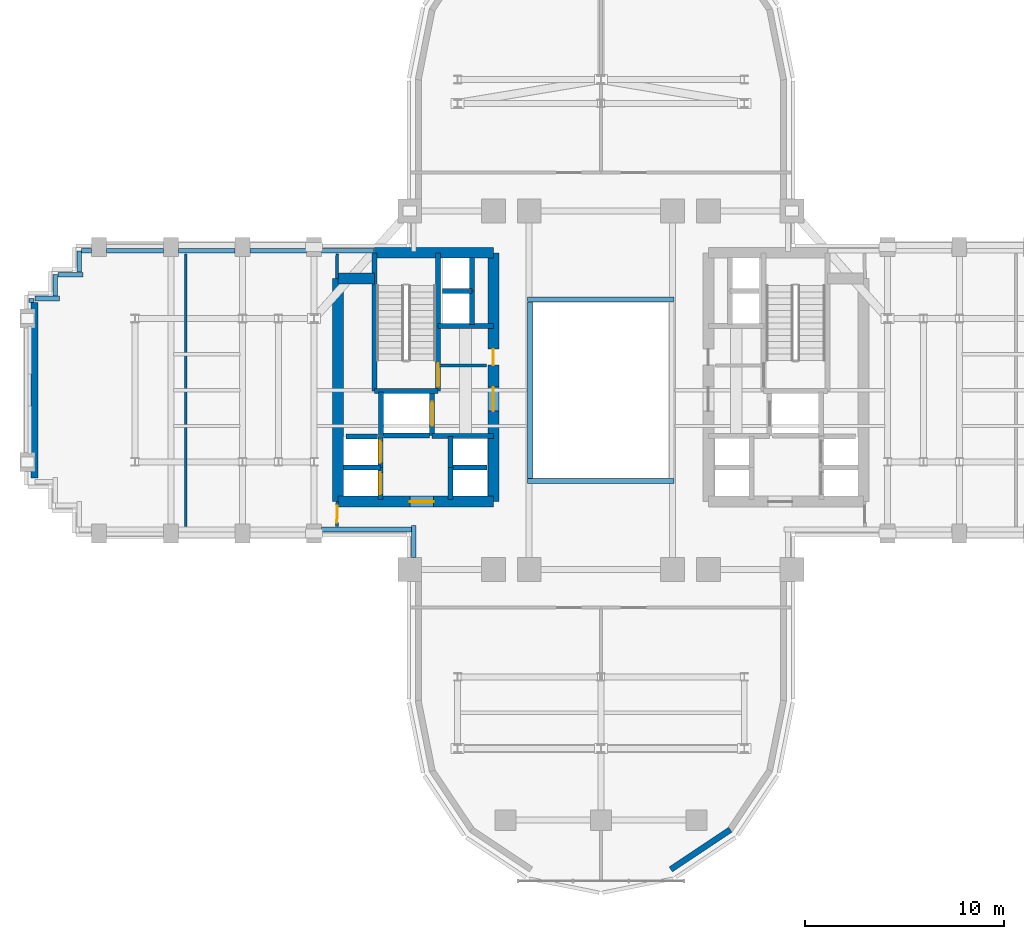
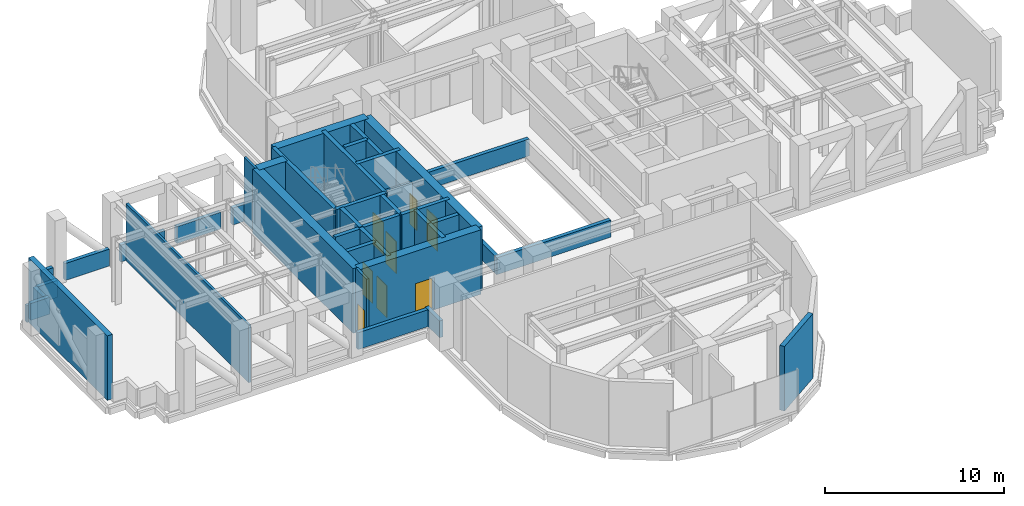
# One storey, part 9 of 15: 44 walls, 8 doors, 8 openings.
"""IFC4 building model written with IfcOpenShell, lengths in metres."""

from ifc_helpers import new_model, si_unit, direction, frame, frame_2d, origin, place, context, subcontext, project, spatial, rectangle, extrude, source, transform, mapped, material, layer, layer_set, type_object, element, fill, save


model = new_model("IFC4")

# Units and contexts
model_context = context("Model", 3, precision=1e-05, world=origin(), true_north=direction((0.0, 1.0)))
body_context = subcontext(model_context, "Body", "Model", "MODEL_VIEW")
ifc_project = project(units=[si_unit("LENGTHUNIT", "METRE"), si_unit("AREAUNIT", "SQUARE_METRE"), si_unit("VOLUMEUNIT", "CUBIC_METRE"), si_unit("PLANEANGLEUNIT", "RADIAN"), si_unit("MASSUNIT", "GRAM", prefix="KILO")], contexts=[model_context])

# Site, building, storey
site_placement = place(None, origin())
site = spatial("IfcSite", under=ifc_project, at=site_placement, CompositionType="ELEMENT")
building_placement = place(site_placement, origin())
building = spatial("IfcBuilding", under=site, at=building_placement, Name="Keilestroom Media Tower", CompositionType="ELEMENT")
storey_placement = place(building_placement, frame((0.0, 0.0, 88.39990234375)))
storey = spatial("IfcBuildingStorey", under=building, at=storey_placement, Name="L23", CompositionType="ELEMENT", Elevation=88.39990234375)

# Walls
ifc_material_1 = material(Name="Precast concrete C40/50", Category="concrete")
ifc_layer_1 = layer(ifc_material_1, 0.300048828125)
ifc_layer_set_1 = layer_set([ifc_layer_1], Name="Precast concrete C40/50")
wall_type_1 = type_object("IfcWallType", Name="Exterior-Masonry-Spandrel-Wall-300", PredefinedType="SOLIDWALL", material=ifc_layer_set_1)
wall_1_placement = place(storey_placement, frame((3.510009765625, -24.073486328125, 0.0), z_axis=(0.0, 0.0, 1.0), x_axis=(0.8314749531, 0.555562239868, 0.0)))
element("IfcWall", 1, at=wall_1_placement, inside=storey, type_object=wall_type_1, Name="L23 Plant Lobe Masonry Wall 13", PredefinedType="SOLIDWALL", context=body_context, shape_type="SweptSolid", body=[
    extrude(rectangle(XDim=3.59326171875, YDim=0.300048828125, at=frame_2d((1.796630859375, 0.0))), origin(), (0.0, 0.0, 1.0), 4.400146484375),
])
ifc_layer_2 = layer(ifc_material_1, 0.340087890625)
ifc_layer_set_2 = layer_set([ifc_layer_2], Name="Precast concrete C40/50")
wall_type_2 = type_object("IfcWallType", Name="Exterior-Masonry-Spandrel-Wall-340", PredefinedType="SOLIDWALL", material=ifc_layer_set_2)
wall_2_placement = place(storey_placement, frame((-28.449951171875, -4.39990234375, 0.0), z_axis=(0.0, 0.0, 1.0), x_axis=(0.0, 1.0, 0.0)))
element("IfcWall", 2, at=wall_2_placement, inside=storey, type_object=wall_type_2, Name="L23 Plant Masonry Screen Wall W", PredefinedType="SOLIDWALL", context=body_context, shape_type="SweptSolid", body=[
    extrude(rectangle(XDim=8.7998046875, YDim=0.340087890625, at=frame_2d((4.39990234375, 0.0))), origin(), (0.0, 0.0, 1.0), 4.400146484375),
])
ifc_material_2 = material(Name="Gypsum Plasterboard & Steel Stud", Category="steel")
ifc_layer_3 = layer(ifc_material_2, 0.14990234375)
ifc_layer_set_3 = layer_set([ifc_layer_3], Name="Gypsum Plasterboard & Steel Stud")
wall_type_3 = type_object("IfcWallType", Name="Interior-Partition-Wall-150", PredefinedType="PARTITIONING", material=ifc_layer_set_3)
wall_3_placement = place(storey_placement, frame((-8.139892578125, 1.239990234375, 0.0), z_axis=(0.0, 0.0, 1.0), x_axis=(1.0, 0.0, 0.0)))
element("IfcWall", 3, at=wall_3_placement, inside=storey, type_object=wall_type_3, Name="L23 Interior Wall WP-L23-FFW-TOP", PredefinedType="PARTITIONING", context=body_context, shape_type="SweptSolid", body=[
    extrude(rectangle(XDim=2.389892578125, YDim=0.14990234375, at=frame_2d((1.19482421875, 0.0))), origin(), (0.0, 0.0, 1.0), 3.5),
])

# Wall, opening, door
wall_4_placement = place(storey_placement, frame((-13.260009765625, -6.85009765625, 0.0), z_axis=(0.0, 0.0, 1.0), x_axis=(0.016013571389, 0.999871774545, 0.0)))
wall_4 = element("IfcWall", 4, at=wall_4_placement, inside=storey, type_object=wall_type_3, Name="L23 Interior Wall WP-L23-REF-WE", PredefinedType="PARTITIONING", context=body_context, shape_type="SweptSolid", body=[
    extrude(rectangle(XDim=1.250244140625, YDim=0.14990234375, at=frame_2d((0.625, 0.0))), origin(), (0.0, 0.0, 1.0), 4.400146484375),
])
opening_1_placement = place(wall_4_placement, frame((0.199951171875, 0.0, 0.0)))
opening_1 = element("IfcOpeningElement", 5, at=opening_1_placement, cuts=wall_4, Name="Opening DI-05", PredefinedType="OPENING", context=body_context, shape_type="SweptSolid", body=[
    extrude(rectangle(XDim=0.85009765625, YDim=2.10009765625, at=frame_2d((0.425048828125, 1.050048828125))), frame((0.0, 0.0849609375, 0.0), z_axis=(0.0, -1.0, 0.0), x_axis=(1.0, 0.0, 0.0)), (0.0, 0.0, 1.0), 0.169921875),
])
ifc_material_3 = material(Name="Moisture-Resistant Oak Leaf", Category="wood")
door_type_1 = type_object("IfcDoorType", Name="Interior-En-Suite-And-Cupboard-Door-DI-05", OperationType="NOTDEFINED", PredefinedType="DOOR", material=ifc_material_3)
shared_shape_1 = source(origin(), body_context, "Body", "SweptSolid", [
    extrude(rectangle(XDim=0.85009765625, YDim=2.10009765625, at=frame_2d((0.425048828125, 1.050048828125))), frame((0.0, 0.02490234375, 0.0), z_axis=(0.0, -1.0, 0.0), x_axis=(1.0, 0.0, 0.0)), (0.0, 0.0, 1.0), 0.050048828125),
])
door_1_placement = place(opening_1_placement, origin())
door_1 = element("IfcDoor", 6, at=door_1_placement, inside=storey, type_object=door_type_1, Name="L23 Interior Door DI-L23-DRF-WS", OperationType="SINGLE_SWING_RIGHT", OverallHeight=2.10009765625, OverallWidth=0.85009765625, PredefinedType="DOOR", context=body_context, shape_type="MappedRepresentation", body=[
    mapped(shared_shape_1, transform((0.0, 0.0, 0.0), x_axis=(1.0, 0.0, 0.0), y_axis=(0.0, 1.0, 0.0), z_axis=(0.0, 0.0, 1.0), scale=1.0)),
])
fill(opening_1, door_1)

# Walls
wall_5_placement = place(storey_placement, frame((-13.260009765625, 5.60009765625, 0.0), z_axis=(0.0, 0.0, 1.0), x_axis=(0.016013571389, 0.999871774545, 0.0)))
element("IfcWall", 7, at=wall_5_placement, inside=storey, type_object=wall_type_3, Name="L23 Interior Wall WP-L23-REF-WNK", PredefinedType="PARTITIONING", context=body_context, shape_type="SweptSolid", body=[
    extrude(rectangle(XDim=1.250244140625, YDim=0.14990234375, at=frame_2d((0.625, 0.0))), origin(), (0.0, 0.0, 1.0), 4.400146484375),
])
wall_6_placement = place(storey_placement, frame((-20.85009765625, -6.85009765625, 0.0), z_axis=(0.0, 0.0, 1.0), x_axis=(0.0, 1.0, 0.0)))
element("IfcWall", 8, at=wall_6_placement, inside=storey, type_object=wall_type_3, Name="L23 Interior Wall WP-L23-REF-WW", PredefinedType="PARTITIONING", context=body_context, shape_type="SweptSolid", body=[
    extrude(rectangle(XDim=13.7001953125, YDim=0.14990234375, at=frame_2d((6.85009765625, 0.0))), origin(), (0.0, 0.0, 1.0), 3.91015625),
])
ifc_material_4 = material(Name="Concrete C70/85", Category="concrete")
ifc_layer_4 = layer(ifc_material_4, 0.550048828125)
ifc_layer_set_4 = layer_set([ifc_layer_4], Name="Concrete C70/85")
wall_type_4 = type_object("IfcWallType", Name="Reinforced-Concrete-Core-Shear-Wall-550", PredefinedType="SHEAR", material=ifc_layer_set_4)
wall_7_placement = place(storey_placement, frame((-13.199951171875, -5.60009765625, 0.0), z_axis=(0.0, 0.0, 1.0), x_axis=(0.0, 1.0, 0.0)))
element("IfcWall", 9, at=wall_7_placement, inside=storey, type_object=wall_type_4, Name="L23 Core Shear Wall WL-L23-CORE-W-OUT", PredefinedType="SHEAR", context=body_context, shape_type="SweptSolid", body=[
    extrude(rectangle(XDim=11.2001953125, YDim=0.550048828125, at=frame_2d((5.60009765625, 0.0))), origin(), (0.0, 0.0, 1.0), 4.400146484375),
])

# Wall, openings, doors
wall_8_placement = place(storey_placement, frame((-5.39990234375, -5.60009765625, 0.0), z_axis=(0.0, 0.0, 1.0), x_axis=(0.0, 1.0, 0.0)))
wall_8 = element("IfcWall", 10, at=wall_8_placement, inside=storey, type_object=wall_type_4, Name="L23 Core Shear Wall WL-L23-CORE-W-IN", PredefinedType="SHEAR", context=body_context, shape_type="SweptSolid", body=[
    extrude(rectangle(XDim=12.5, YDim=0.550048828125, at=frame_2d((6.25, 0.0))), origin(), (0.0, 0.0, 1.0), 4.400146484375),
])
opening_2_placement = place(wall_8_placement, frame((4.550048828125, 0.0, 0.0)))
opening_2 = element("IfcOpeningElement", 11, at=opening_2_placement, cuts=wall_8, Name="Opening DI-02", PredefinedType="OPENING", context=body_context, shape_type="SweptSolid", body=[
    extrude(rectangle(XDim=1.199951171875, YDim=2.199951171875, at=frame_2d((0.60009765625, 1.10009765625))), frame((0.0, 0.28515625, 0.0), z_axis=(0.0, -1.0, 0.0), x_axis=(1.0, 0.0, 0.0)), (0.0, 0.0, 1.0), 0.570068359375),
])
opening_3_placement = place(wall_8_placement, frame((6.860107421875, 0.0, 0.0)))
opening_3 = element("IfcOpeningElement", 12, at=opening_3_placement, cuts=wall_8, Name="Opening DI-06", PredefinedType="OPENING", context=body_context, shape_type="SweptSolid", body=[
    extrude(rectangle(XDim=0.800048828125, YDim=2.10009765625, at=frame_2d((0.39990234375, 1.050048828125))), frame((0.0, 0.28515625, 0.0), z_axis=(0.0, -1.0, 0.0), x_axis=(1.0, 0.0, 0.0)), (0.0, 0.0, 1.0), 0.570068359375),
])
ifc_material_5 = material(Name="Powder-Coated Steel Fire Leaf", Category="steel")
door_type_2 = type_object("IfcDoorType", Name="Interior-Compartment-Fire-Door-DI-02", OperationType="NOTDEFINED", PredefinedType="DOOR", material=ifc_material_5)
shared_shape_2 = source(origin(), body_context, "Body", "SweptSolid", [
    extrude(rectangle(XDim=1.199951171875, YDim=2.199951171875, at=frame_2d((0.60009765625, 1.10009765625))), frame((0.0, 0.02490234375, 0.0), z_axis=(0.0, -1.0, 0.0), x_axis=(1.0, 0.0, 0.0)), (0.0, 0.0, 1.0), 0.050048828125),
])
door_2_placement = place(opening_2_placement, origin())
door_2 = element("IfcDoor", 13, at=door_2_placement, inside=storey, type_object=door_type_2, Name="L23 W Firefighting Lobby Door", OperationType="SINGLE_SWING_RIGHT", OverallHeight=2.199951171875, OverallWidth=1.199951171875, PredefinedType="DOOR", context=body_context, shape_type="MappedRepresentation", body=[
    mapped(shared_shape_2, transform((0.0, 0.0, 0.0), x_axis=(1.0, 0.0, 0.0), y_axis=(0.0, 1.0, 0.0), z_axis=(0.0, 0.0, 1.0), scale=1.0)),
])
fill(opening_2, door_2)
ifc_material_6 = material(Name="Powder-Coated Steel Service Leaf", Category="steel")
door_type_3 = type_object("IfcDoorType", Name="Interior-Riser-Access-Door-DI-06", OperationType="NOTDEFINED", PredefinedType="DOOR", material=ifc_material_6)
shared_shape_3 = source(origin(), body_context, "Body", "SweptSolid", [
    extrude(rectangle(XDim=0.800048828125, YDim=2.10009765625, at=frame_2d((0.39990234375, 1.050048828125))), frame((0.0, 0.02490234375, 0.0), z_axis=(0.0, -1.0, 0.0), x_axis=(1.0, 0.0, 0.0)), (0.0, 0.0, 1.0), 0.050048828125),
])
door_3_placement = place(opening_3_placement, origin())
door_3 = element("IfcDoor", 14, at=door_3_placement, inside=storey, type_object=door_type_3, Name="L23 West Core Switchroom Door", OperationType="SINGLE_SWING_LEFT", OverallHeight=2.10009765625, OverallWidth=0.800048828125, PredefinedType="DOOR", context=body_context, shape_type="MappedRepresentation", body=[
    mapped(shared_shape_3, transform((0.0, 0.0, 0.0), x_axis=(1.0, 0.0, 0.0), y_axis=(0.0, 1.0, 0.0), z_axis=(0.0, 0.0, 1.0), scale=1.0)),
])
fill(opening_3, door_3)

# Walls
wall_9_placement = place(storey_placement, frame((-11.381103515625, 6.89990234375, 0.0), z_axis=(0.0, 0.0, 1.0), x_axis=(1.0, 0.0, 0.0)))
element("IfcWall", 15, at=wall_9_placement, inside=storey, type_object=wall_type_4, Name="L23 Core Shear Wall WL-L23-CORE-W-N", PredefinedType="SHEAR", context=body_context, shape_type="SweptSolid", body=[
    extrude(rectangle(XDim=5.981201171875, YDim=0.550048828125, at=frame_2d((2.99072265625, 0.0))), origin(), (0.0, 0.0, 1.0), 4.400146484375),
])
wall_10_placement = place(storey_placement, frame((-13.199951171875, 5.60009765625, 0.0), z_axis=(0.0, 0.0, 1.0), x_axis=(1.0, 0.0, 0.0)))
element("IfcWall", 16, at=wall_10_placement, inside=storey, type_object=wall_type_4, Name="L23 Core Shear Wall WL-L23-CNW-N", PredefinedType="SHEAR", context=body_context, shape_type="SweptSolid", body=[
    extrude(rectangle(XDim=1.81884765625, YDim=0.550048828125, at=frame_2d((0.909423828125, 0.0))), origin(), (0.0, 0.0, 1.0), 4.400146484375),
])

# Wall, opening, door
wall_11_placement = place(storey_placement, frame((-13.199951171875, -5.60009765625, 0.0), z_axis=(0.0, 0.0, 1.0), x_axis=(1.0, 0.0, 0.0)))
wall_11 = element("IfcWall", 17, at=wall_11_placement, inside=storey, type_object=wall_type_4, Name="L23 Core Shear Wall WL-L23-CORE-W-S", PredefinedType="SHEAR", context=body_context, shape_type="SweptSolid", body=[
    extrude(rectangle(XDim=7.800048828125, YDim=0.550048828125, at=frame_2d((3.89990234375, 0.0))), origin(), (0.0, 0.0, 1.0), 4.400146484375),
])
opening_4_placement = place(wall_11_placement, frame((3.60009765625, 0.0, 0.0)))
opening_4 = element("IfcOpeningElement", 18, at=opening_4_placement, cuts=wall_11, Name="Opening DI-02", PredefinedType="OPENING", context=body_context, shape_type="SweptSolid", body=[
    extrude(rectangle(XDim=1.199951171875, YDim=2.199951171875, at=frame_2d((0.60009765625, 1.10009765625))), frame((0.0, 0.28515625, 0.0), z_axis=(0.0, -1.0, 0.0), x_axis=(1.0, 0.0, 0.0)), (0.0, 0.0, 1.0), 0.570068359375),
])
door_4_placement = place(opening_4_placement, origin())
door_4 = element("IfcDoor", 19, at=door_4_placement, inside=storey, type_object=door_type_2, Name="L23 W Passenger Lift Lobby Door", OperationType="SINGLE_SWING_LEFT", OverallHeight=2.199951171875, OverallWidth=1.199951171875, PredefinedType="DOOR", context=body_context, shape_type="MappedRepresentation", body=[
    mapped(shared_shape_2, transform((0.0, 0.0, 0.0), x_axis=(1.0, 0.0, 0.0), y_axis=(0.0, 1.0, 0.0), z_axis=(0.0, 0.0, 1.0), scale=1.0)),
])
fill(opening_4, door_4)

# Walls
ifc_material_7 = material(Name="Concrete C50/60", Category="concrete")
ifc_layer_5 = layer(ifc_material_7, 0.25)
ifc_layer_set_5 = layer_set([ifc_layer_5], Name="Concrete C50/60")
wall_type_5 = type_object("IfcWallType", Name="Reinforced-Concrete-Shaft-Wall-250", PredefinedType="SOLIDWALL", material=ifc_layer_set_5)
wall_12_placement = place(storey_placement, frame((-8.179931640625, 3.219970703125, 0.0), z_axis=(0.0, 0.0, 1.0), x_axis=(1.0, 0.0, 0.0)))
element("IfcWall", 20, at=wall_12_placement, inside=storey, type_object=wall_type_5, Name="L23 Core Shear Wall WL-L23-CORE-W-FFN", PredefinedType="SOLIDWALL", context=body_context, shape_type="SweptSolid", body=[
    extrude(rectangle(XDim=2.780029296875, YDim=0.25, at=frame_2d((1.39013671875, 0.0))), origin(), (0.0, 0.0, 1.0), 4.400146484375),
])
wall_13_placement = place(storey_placement, frame((-8.47998046875, -2.300048828125, 0.0), z_axis=(0.0, 0.0, 1.0), x_axis=(1.0, 0.0, 0.0)))
element("IfcWall", 21, at=wall_13_placement, inside=storey, type_object=wall_type_5, Name="L23 Core Shear Wall WL-L23-CORE-W-FFS", PredefinedType="SOLIDWALL", context=body_context, shape_type="SweptSolid", body=[
    extrude(rectangle(XDim=3.080078125, YDim=0.25, at=frame_2d((1.5400390625, 0.0))), origin(), (0.0, 0.0, 1.0), 4.400146484375),
])

# Wall, opening, door
wall_14_placement = place(storey_placement, frame((-8.178955078125, -0.041015625, 0.0), z_axis=(0.0, 0.0, 1.0), x_axis=(0.0, 1.0, 0.0)))
wall_14 = element("IfcWall", 22, at=wall_14_placement, inside=storey, type_object=wall_type_5, Name="L23 Core Shear Wall WL-L23-STW-W-NEAR", PredefinedType="SOLIDWALL", context=body_context, shape_type="SweptSolid", body=[
    extrude(rectangle(XDim=6.94091796875, YDim=0.25, at=frame_2d((3.470458984375, 0.0))), origin(), (0.0, 0.0, 1.0), 4.400146484375),
])
opening_5_placement = place(wall_14_placement, frame((0.199951171875, 0.0, 0.0)))
opening_5 = element("IfcOpeningElement", 23, at=opening_5_placement, cuts=wall_14, Name="Opening DI-01S", PredefinedType="OPENING", context=body_context, shape_type="SweptSolid", body=[
    extrude(rectangle(XDim=1.199951171875, YDim=2.199951171875, at=frame_2d((0.60009765625, 1.10009765625))), frame((0.0, 0.135009765625, 0.0), z_axis=(0.0, -1.0, 0.0), x_axis=(1.0, 0.0, 0.0)), (0.0, 0.0, 1.0), 0.27001953125),
])
door_type_4 = type_object("IfcDoorType", Name="Interior-Stair-And-Core-Fire-Door-DI-01", OperationType="NOTDEFINED", PredefinedType="DOOR", material=ifc_material_5)
door_5_placement = place(opening_5_placement, origin())
door_5 = element("IfcDoor", 24, at=door_5_placement, inside=storey, type_object=door_type_4, Name="L23 Escape Stair ST-1 Fire Door", OperationType="SINGLE_SWING_LEFT", OverallHeight=2.199951171875, OverallWidth=1.199951171875, PredefinedType="DOOR", context=body_context, shape_type="MappedRepresentation", body=[
    mapped(shared_shape_2, transform((0.0, 0.0, 0.0), x_axis=(1.0, 0.0, 0.0), y_axis=(0.0, 1.0, 0.0), z_axis=(0.0, 0.0, 1.0), scale=1.0)),
])
fill(opening_5, door_5)

# Walls
wall_15_placement = place(storey_placement, frame((-11.381103515625, -0.041015625, 0.0), z_axis=(0.0, 0.0, 1.0), x_axis=(0.0, 1.0, 0.0)))
element("IfcWall", 25, at=wall_15_placement, inside=storey, type_object=wall_type_5, Name="L23 Core Shear Wall WL-L23-STW-W-FAR", PredefinedType="SOLIDWALL", context=body_context, shape_type="SweptSolid", body=[
    extrude(rectangle(XDim=6.94091796875, YDim=0.25, at=frame_2d((3.470458984375, 0.0))), origin(), (0.0, 0.0, 1.0), 4.400146484375),
])
wall_16_placement = place(storey_placement, frame((-11.381103515625, -0.041015625, 0.0), z_axis=(0.0, 0.0, 1.0), x_axis=(1.0, 0.0, 0.0)))
element("IfcWall", 26, at=wall_16_placement, inside=storey, type_object=wall_type_5, Name="L23 Core Shear Wall WL-L23-STW-W-S", PredefinedType="SOLIDWALL", context=body_context, shape_type="SweptSolid", body=[
    extrude(rectangle(XDim=3.2021484375, YDim=0.25, at=frame_2d((1.60107421875, 0.0))), origin(), (0.0, 0.0, 1.0), 4.400146484375),
])
wall_17_placement = place(storey_placement, frame((-11.050048828125, -2.280029296875, 0.0), z_axis=(0.0, 0.0, 1.0), x_axis=(0.0, 1.0, 0.0)))
element("IfcWall", 27, at=wall_17_placement, inside=storey, type_object=wall_type_5, Name="L23 Core Shear Wall WL-L23-LSH-FFL-1-W", PredefinedType="SOLIDWALL", context=body_context, shape_type="SweptSolid", body=[
    extrude(rectangle(XDim=2.179931640625, YDim=0.25, at=frame_2d((1.08984375, 0.0))), origin(), (0.0, 0.0, 1.0), 4.400146484375),
])

# Wall, opening, door
wall_18_placement = place(storey_placement, frame((-8.47998046875, -2.280029296875, 0.0), z_axis=(0.0, 0.0, 1.0), x_axis=(0.0, 1.0, 0.0)))
wall_18 = element("IfcWall", 28, at=wall_18_placement, inside=storey, type_object=wall_type_5, Name="L23 Core Shear Wall WL-L23-LSH-FFL-1-E", PredefinedType="SOLIDWALL", context=body_context, shape_type="SweptSolid", body=[
    extrude(rectangle(XDim=2.179931640625, YDim=0.25, at=frame_2d((1.08984375, 0.0))), origin(), (0.0, 0.0, 1.0), 4.400146484375),
])
opening_6_placement = place(wall_18_placement, frame((0.489990234375, 0.0, 0.0)))
opening_6 = element("IfcOpeningElement", 29, at=opening_6_placement, cuts=wall_18, Name="Opening LD-02", PredefinedType="OPENING", context=body_context, shape_type="SweptSolid", body=[
    extrude(rectangle(XDim=1.199951171875, YDim=2.199951171875, at=frame_2d((0.60009765625, 1.10009765625))), frame((0.0, 0.135009765625, 0.0), z_axis=(0.0, -1.0, 0.0), x_axis=(1.0, 0.0, 0.0)), (0.0, 0.0, 1.0), 0.27001953125),
])
ifc_material_8 = material(Name="Brushed Stainless Steel Sliding Leaf", Category="steel")
door_type_5 = type_object("IfcDoorType", Name="Lift-Landing-Sliding-Door-LD-02", OperationType="SLIDING_TO_RIGHT", PredefinedType="DOOR", material=ifc_material_8)
door_6_placement = place(opening_6_placement, origin())
door_6 = element("IfcDoor", 30, at=door_6_placement, inside=storey, type_object=door_type_5, Name="L23 Lift FFL-1 Landing Sliding Door", OperationType="SLIDING_TO_RIGHT", OverallHeight=2.199951171875, OverallWidth=1.199951171875, PredefinedType="DOOR", context=body_context, shape_type="MappedRepresentation", body=[
    mapped(shared_shape_2, transform((0.0, 0.0, 0.0), x_axis=(1.0, 0.0, 0.0), y_axis=(0.0, 1.0, 0.0), z_axis=(0.0, 0.0, 1.0), scale=1.0)),
])
fill(opening_6, door_6)

# Wall
wall_19_placement = place(storey_placement, frame((-10.9208984375, -2.280029296875, 0.0), z_axis=(0.0, 0.0, 1.0), x_axis=(1.0, 0.0, 0.0)))
element("IfcWall", 31, at=wall_19_placement, inside=storey, type_object=wall_type_5, Name="L23 Core Shear Wall WL-L23-LSH-FFL-1-S", PredefinedType="SOLIDWALL", context=body_context, shape_type="SweptSolid", body=[
    extrude(rectangle(XDim=2.31201171875, YDim=0.25, at=frame_2d((1.156005859375, 0.0))), origin(), (0.0, 0.0, 1.0), 4.400146484375),
])

# Wall, opening, door
wall_20_placement = place(storey_placement, frame((-11.080078125, -5.47998046875, 0.0), z_axis=(0.0, 0.0, 1.0), x_axis=(0.0, 1.0, 0.0)))
wall_20 = element("IfcWall", 32, at=wall_20_placement, inside=storey, type_object=wall_type_5, Name="L23 Core Shear Wall WL-L23-LSH-PL-L1-E", PredefinedType="SOLIDWALL", context=body_context, shape_type="SweptSolid", body=[
    extrude(rectangle(XDim=1.60009765625, YDim=0.25, at=frame_2d((0.800048828125, 0.0))), origin(), (0.0, 0.0, 1.0), 4.400146484375),
])
opening_7_placement = place(wall_20_placement, frame((0.25, 0.0, 0.0)))
opening_7 = element("IfcOpeningElement", 33, at=opening_7_placement, cuts=wall_20, Name="Opening LD-01", PredefinedType="OPENING", context=body_context, shape_type="SweptSolid", body=[
    extrude(rectangle(XDim=1.10009765625, YDim=2.199951171875, at=frame_2d((0.550048828125, 1.10009765625))), frame((0.0, 0.135009765625, 0.0), z_axis=(0.0, -1.0, 0.0), x_axis=(1.0, 0.0, 0.0)), (0.0, 0.0, 1.0), 0.27001953125),
])
door_type_6 = type_object("IfcDoorType", Name="Lift-Landing-Sliding-Door-LD-01", OperationType="SLIDING_TO_LEFT", PredefinedType="DOOR", material=ifc_material_8)
shared_shape_4 = source(origin(), body_context, "Body", "SweptSolid", [
    extrude(rectangle(XDim=1.10009765625, YDim=2.199951171875, at=frame_2d((0.550048828125, 1.10009765625))), frame((0.0, 0.02490234375, 0.0), z_axis=(0.0, -1.0, 0.0), x_axis=(1.0, 0.0, 0.0)), (0.0, 0.0, 1.0), 0.050048828125),
])
door_7_placement = place(opening_7_placement, origin())
door_7 = element("IfcDoor", 34, at=door_7_placement, inside=storey, type_object=door_type_6, Name="L23 Lift PL-L1 Landing Sliding Door", OperationType="SLIDING_TO_LEFT", OverallHeight=2.199951171875, OverallWidth=1.10009765625, PredefinedType="DOOR", context=body_context, shape_type="MappedRepresentation", body=[
    mapped(shared_shape_4, transform((0.0, 0.0, 0.0), x_axis=(1.0, 0.0, 0.0), y_axis=(0.0, 1.0, 0.0), z_axis=(0.0, 0.0, 1.0), scale=1.0)),
])
fill(opening_7, door_7)

# Wall
wall_21_placement = place(storey_placement, frame((-12.919921875, -3.8798828125, 0.0), z_axis=(0.0, 0.0, 1.0), x_axis=(1.0, 0.0, 0.0)))
element("IfcWall", 35, at=wall_21_placement, inside=storey, type_object=wall_type_5, Name="L23 Core Shear Wall WL-L23-LSH-PL-L1-N", PredefinedType="SOLIDWALL", context=body_context, shape_type="SweptSolid", body=[
    extrude(rectangle(XDim=1.83984375, YDim=0.25, at=frame_2d((0.919921875, 0.0))), origin(), (0.0, 0.0, 1.0), 4.400146484375),
])

# Wall, opening, door
wall_22_placement = place(storey_placement, frame((-11.080078125, -3.8798828125, 0.0), z_axis=(0.0, 0.0, 1.0), x_axis=(0.0, 1.0, 0.0)))
wall_22 = element("IfcWall", 36, at=wall_22_placement, inside=storey, type_object=wall_type_5, Name="L23 Core Shear Wall WL-L23-LSH-PL-L2-E", PredefinedType="SOLIDWALL", context=body_context, shape_type="SweptSolid", body=[
    extrude(rectangle(XDim=1.559814453125, YDim=0.25, at=frame_2d((0.77978515625, 0.0))), origin(), (0.0, 0.0, 1.0), 4.400146484375),
])
opening_8_placement = place(wall_22_placement, frame((0.22998046875, 0.0, 0.0)))
opening_8 = element("IfcOpeningElement", 37, at=opening_8_placement, cuts=wall_22, Name="Opening LD-01", PredefinedType="OPENING", context=body_context, shape_type="SweptSolid", body=[
    extrude(rectangle(XDim=1.10009765625, YDim=2.199951171875, at=frame_2d((0.550048828125, 1.10009765625))), frame((0.0, 0.135009765625, 0.0), z_axis=(0.0, -1.0, 0.0), x_axis=(1.0, 0.0, 0.0)), (0.0, 0.0, 1.0), 0.27001953125),
])
door_8_placement = place(opening_8_placement, origin())
door_8 = element("IfcDoor", 38, at=door_8_placement, inside=storey, type_object=door_type_6, Name="L23 Lift PL-L2 Landing Sliding Door", OperationType="SLIDING_TO_LEFT", OverallHeight=2.199951171875, OverallWidth=1.10009765625, PredefinedType="DOOR", context=body_context, shape_type="MappedRepresentation", body=[
    mapped(shared_shape_4, transform((0.0, 0.0, 0.0), x_axis=(1.0, 0.0, 0.0), y_axis=(0.0, 1.0, 0.0), z_axis=(0.0, 0.0, 1.0), scale=1.0)),
])
fill(opening_8, door_8)

# Walls
wall_23_placement = place(storey_placement, frame((-12.791015625, -2.320068359375, 0.0), z_axis=(0.0, 0.0, 1.0), x_axis=(1.0, 0.0, 0.0)))
element("IfcWall", 39, at=wall_23_placement, inside=storey, type_object=wall_type_5, Name="L23 Core Shear Wall WL-L23-LSH-PL-L2-N", PredefinedType="SOLIDWALL", context=body_context, shape_type="SweptSolid", body=[
    extrude(rectangle(XDim=1.58203125, YDim=0.25, at=frame_2d((0.791015625, 0.0))), origin(), (0.0, 0.0, 1.0), 4.400146484375),
])
wall_24_placement = place(storey_placement, frame((-7.56005859375, -5.47998046875, 0.0), z_axis=(0.0, 0.0, 1.0), x_axis=(0.0, 1.0, 0.0)))
element("IfcWall", 40, at=wall_24_placement, inside=storey, type_object=wall_type_5, Name="L23 Core Shear Wall WL-L23-LSH-PL-M1-W", PredefinedType="SOLIDWALL", context=body_context, shape_type="SweptSolid", body=[
    extrude(rectangle(XDim=1.60009765625, YDim=0.25, at=frame_2d((0.800048828125, 0.0))), origin(), (0.0, 0.0, 1.0), 4.400146484375),
])
wall_25_placement = place(storey_placement, frame((-7.56005859375, -3.8798828125, 0.0), z_axis=(0.0, 0.0, 1.0), x_axis=(1.0, 0.0, 0.0)))
element("IfcWall", 41, at=wall_25_placement, inside=storey, type_object=wall_type_5, Name="L23 Core Shear Wall WL-L23-LSH-PL-M1-N", PredefinedType="SOLIDWALL", context=body_context, shape_type="SweptSolid", body=[
    extrude(rectangle(XDim=1.840087890625, YDim=0.25, at=frame_2d((0.919921875, 0.0))), origin(), (0.0, 0.0, 1.0), 4.400146484375),
])
wall_26_placement = place(storey_placement, frame((-7.56005859375, -3.8798828125, 0.0), z_axis=(0.0, 0.0, 1.0), x_axis=(0.0, 1.0, 0.0)))
element("IfcWall", 42, at=wall_26_placement, inside=storey, type_object=wall_type_5, Name="L23 Core Shear Wall WL-L23-LSH-PL-M2-W", PredefinedType="SOLIDWALL", context=body_context, shape_type="SweptSolid", body=[
    extrude(rectangle(XDim=1.559814453125, YDim=0.25, at=frame_2d((0.77978515625, 0.0))), origin(), (0.0, 0.0, 1.0), 4.400146484375),
])
wall_27_placement = place(storey_placement, frame((-6.47998046875, 3.300048828125, 0.0), z_axis=(0.0, 0.0, 1.0), x_axis=(0.0, 1.0, 0.0)))
element("IfcWall", 43, at=wall_27_placement, inside=storey, type_object=wall_type_5, Name="L23 Core Shear Wall WL-L23-LSH-PL-H1-E", PredefinedType="SOLIDWALL", context=body_context, shape_type="SweptSolid", body=[
    extrude(rectangle(XDim=1.679931640625, YDim=0.25, at=frame_2d((0.83984375, 0.0))), origin(), (0.0, 0.0, 1.0), 4.400146484375),
])
wall_28_placement = place(storey_placement, frame((-7.949951171875, 4.97998046875, 0.0), z_axis=(0.0, 0.0, 1.0), x_axis=(1.0, 0.0, 0.0)))
element("IfcWall", 44, at=wall_28_placement, inside=storey, type_object=wall_type_5, Name="L23 Core Shear Wall WL-L23-LSH-PL-H1-N", PredefinedType="SOLIDWALL", context=body_context, shape_type="SweptSolid", body=[
    extrude(rectangle(XDim=1.469970703125, YDim=0.25, at=frame_2d((0.73486328125, 0.0))), origin(), (0.0, 0.0, 1.0), 4.400146484375),
])
wall_29_placement = place(storey_placement, frame((-6.47998046875, 4.97998046875, 0.0), z_axis=(0.0, 0.0, 1.0), x_axis=(0.0, 1.0, 0.0)))
element("IfcWall", 45, at=wall_29_placement, inside=storey, type_object=wall_type_5, Name="L23 Core Shear Wall WL-L23-LSH-PL-H2-E", PredefinedType="SOLIDWALL", context=body_context, shape_type="SweptSolid", body=[
    extrude(rectangle(XDim=1.669921875, YDim=0.25, at=frame_2d((0.8349609375, 0.0))), origin(), (0.0, 0.0, 1.0), 4.400146484375),
])
ifc_layer_6 = layer(ifc_material_1, 0.239990234375)
ifc_layer_set_6 = layer_set([ifc_layer_6], Name="Precast concrete C40/50")
wall_type_6 = type_object("IfcWallType", Name="Roof-And-Terrace-Parapet-Wall-240", PredefinedType="PARAPET", material=ifc_layer_set_6)
wall_30_placement = place(storey_placement, frame((-9.39990234375, -8.39697265625, 0.0), z_axis=(0.0, 0.0, 1.0), x_axis=(0.0, 1.0, 0.0)))
element("IfcWall", 46, at=wall_30_placement, inside=storey, type_object=wall_type_6, Name="L23 Perimeter Edge Parapet Wall 11", PredefinedType="PARAPET", context=body_context, shape_type="SweptSolid", body=[
    extrude(rectangle(XDim=1.596923828125, YDim=0.239990234375, at=frame_2d((0.79833984375, 0.0))), origin(), (0.0, 0.0, 1.0), 1.150146484375),
])
wall_31_placement = place(storey_placement, frame((-9.52294921875, -7.0, 0.0), z_axis=(0.0, 0.0, 1.0), x_axis=(-1.0, 0.0, 0.0)))
element("IfcWall", 47, at=wall_31_placement, inside=storey, type_object=wall_type_6, Name="L23 Perimeter Edge Parapet Wall 12", PredefinedType="PARAPET", context=body_context, shape_type="SweptSolid", body=[
    extrude(rectangle(XDim=4.4990234375, YDim=0.239990234375, at=frame_2d((2.24951171875, 0.0))), origin(), (0.0, 0.0, 1.0), 1.150146484375),
])
wall_32_placement = place(storey_placement, frame((-28.60009765625, 4.403076171875, 0.0), z_axis=(0.0, 0.0, 1.0), x_axis=(0.0, 1.0, 0.0)))
element("IfcWall", 48, at=wall_32_placement, inside=storey, type_object=wall_type_6, Name="L23 Perimeter Edge Parapet Wall 21", PredefinedType="PARAPET", context=body_context, shape_type="SweptSolid", body=[
    extrude(rectangle(XDim=0.197021484375, YDim=0.239990234375, at=frame_2d((0.0986328125, 0.0))), origin(), (0.0, 0.0, 1.0), 1.150146484375),
])
wall_33_placement = place(storey_placement, frame((-28.428955078125, 4.60009765625, 0.0), z_axis=(0.0, 0.0, 1.0), x_axis=(1.0, 0.0, 0.0)))
element("IfcWall", 49, at=wall_33_placement, inside=storey, type_object=wall_type_6, Name="L23 Perimeter Edge Parapet Wall 22", PredefinedType="PARAPET", context=body_context, shape_type="SweptSolid", body=[
    extrude(rectangle(XDim=1.22900390625, YDim=0.239990234375, at=frame_2d((0.614501953125, 0.0))), origin(), (0.0, 0.0, 1.0), 1.150146484375),
])
wall_34_placement = place(storey_placement, frame((-27.39990234375, 4.722900390625, 0.0), z_axis=(0.0, 0.0, 1.0), x_axis=(0.0, 1.0, 0.0)))
element("IfcWall", 50, at=wall_34_placement, inside=storey, type_object=wall_type_6, Name="L23 Perimeter Edge Parapet Wall 23", PredefinedType="PARAPET", context=body_context, shape_type="SweptSolid", body=[
    extrude(rectangle(XDim=1.0771484375, YDim=0.239990234375, at=frame_2d((0.53857421875, 0.0))), origin(), (0.0, 0.0, 1.0), 1.150146484375),
])
wall_35_placement = place(storey_placement, frame((-27.277099609375, 5.800048828125, 0.0), z_axis=(0.0, 0.0, 1.0), x_axis=(1.0, 0.0, 0.0)))
element("IfcWall", 51, at=wall_35_placement, inside=storey, type_object=wall_type_6, Name="L23 Perimeter Edge Parapet Wall 24", PredefinedType="PARAPET", context=body_context, shape_type="SweptSolid", body=[
    extrude(rectangle(XDim=1.277099609375, YDim=0.239990234375, at=frame_2d((0.638671875, 0.0))), origin(), (0.0, 0.0, 1.0), 1.150146484375),
])
wall_36_placement = place(storey_placement, frame((-26.199951171875, 5.923095703125, 0.0), z_axis=(0.0, 0.0, 1.0), x_axis=(0.0, 1.0, 0.0)))
element("IfcWall", 52, at=wall_36_placement, inside=storey, type_object=wall_type_6, Name="L23 Perimeter Edge Parapet Wall 25", PredefinedType="PARAPET", context=body_context, shape_type="SweptSolid", body=[
    extrude(rectangle(XDim=1.076904296875, YDim=0.239990234375, at=frame_2d((0.53857421875, 0.0))), origin(), (0.0, 0.0, 1.0), 1.150146484375),
])
wall_37_placement = place(storey_placement, frame((-26.076904296875, 7.0, 0.0), z_axis=(0.0, 0.0, 1.0), x_axis=(1.0, 0.0, 0.0)))
element("IfcWall", 53, at=wall_37_placement, inside=storey, type_object=wall_type_6, Name="L23 Perimeter Edge Parapet Wall 26", PredefinedType="PARAPET", context=body_context, shape_type="SweptSolid", body=[
    extrude(rectangle(XDim=0.4990234375, YDim=0.239990234375, at=frame_2d((0.24951171875, 0.0))), origin(), (0.0, 0.0, 1.0), 1.150146484375),
])
for number, where, z_axis, x_axis, name in (
    (54, (-24.822021484375, 7.0, 0.0), (0.0, 0.0, 1.0), (1.0, 0.0, 0.0), "L23 Perimeter Edge Parapet Wall 27"),
    (55, (-21.221923828125, 7.0, 0.0), (0.0, 0.0, 1.0), (1.0, 0.0, 0.0), "L23 Perimeter Edge Parapet Wall 28"),
    (56, (-17.6220703125, 7.0, 0.0), (0.0, 0.0, 1.0), (1.0, 0.0, 0.0), "L23 Perimeter Edge Parapet Wall 29"),
):
    element("IfcWall", number, at=place(storey_placement, frame(where, z_axis=z_axis, x_axis=x_axis)), inside=storey, type_object=wall_type_6, Name=name, PredefinedType="PARAPET", context=body_context, shape_type="SweptSolid", body=[
        extrude(rectangle(XDim=2.843994140625, YDim=0.239990234375, at=frame_2d((1.421875, 0.0))), origin(), (0.0, 0.0, 1.0), 1.150146484375),
    ])
wall_38_placement = place(storey_placement, frame((-14.02197265625, 7.0, 0.0), z_axis=(0.0, 0.0, 1.0), x_axis=(1.0, 0.0, 0.0)))
element("IfcWall", 57, at=wall_38_placement, inside=storey, type_object=wall_type_6, Name="L23 Perimeter Edge Parapet Wall 30", PredefinedType="PARAPET", context=body_context, shape_type="SweptSolid", body=[
    extrude(rectangle(XDim=2.618896484375, YDim=0.239990234375, at=frame_2d((1.3095703125, 0.0))), origin(), (0.0, 0.0, 1.0), 1.150146484375),
])
for number, where, z_axis, x_axis, name in (
    (58, (-3.679931640625, -4.56005859375, 0.0), (0.0, 0.0, 1.0), (1.0, 0.0, 0.0), "L23 Central Atrium Guard Parapet S"),
    (59, (-3.679931640625, 4.56005859375, 0.0), (0.0, 0.0, 1.0), (1.0, 0.0, 0.0), "L23 Central Atrium Guard Parapet N"),
):
    element("IfcWall", number, at=place(storey_placement, frame(where, z_axis=z_axis, x_axis=x_axis)), inside=storey, type_object=wall_type_6, Name=name, PredefinedType="PARAPET", context=body_context, shape_type="SweptSolid", body=[
        extrude(rectangle(XDim=7.35986328125, YDim=0.239990234375, at=frame_2d((3.679931640625, 0.0))), origin(), (0.0, 0.0, 1.0), 1.150146484375),
    ])
wall_39_placement = place(storey_placement, frame((-3.56005859375, -4.43505859375, 0.0), z_axis=(0.0, 0.0, 1.0), x_axis=(0.0, 1.0, 0.0)))
element("IfcWall", 60, at=wall_39_placement, inside=storey, type_object=wall_type_6, Name="L23 Central Atrium Guard Parapet W", PredefinedType="PARAPET", context=body_context, shape_type="SweptSolid", body=[
    extrude(rectangle(XDim=8.8701171875, YDim=0.239990234375, at=frame_2d((4.43505859375, 0.0))), origin(), (0.0, 0.0, 1.0), 1.150146484375),
])

save(model, "model.ifc")
